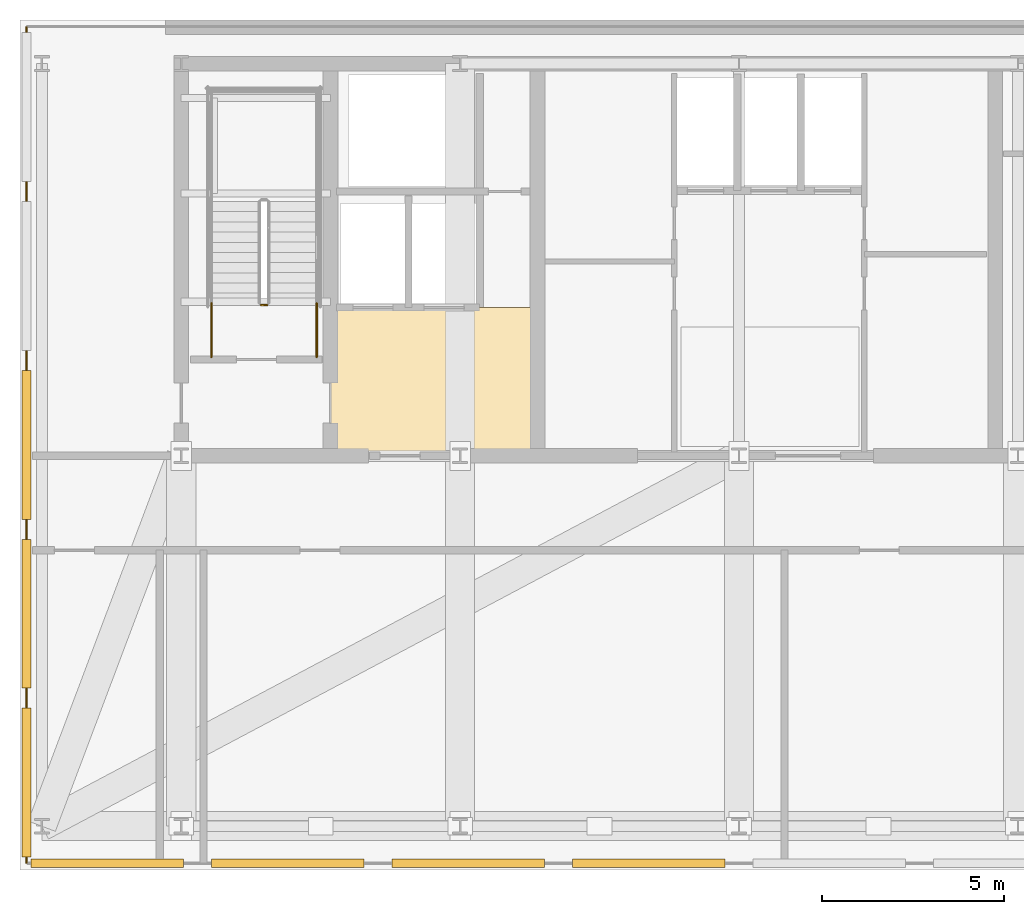
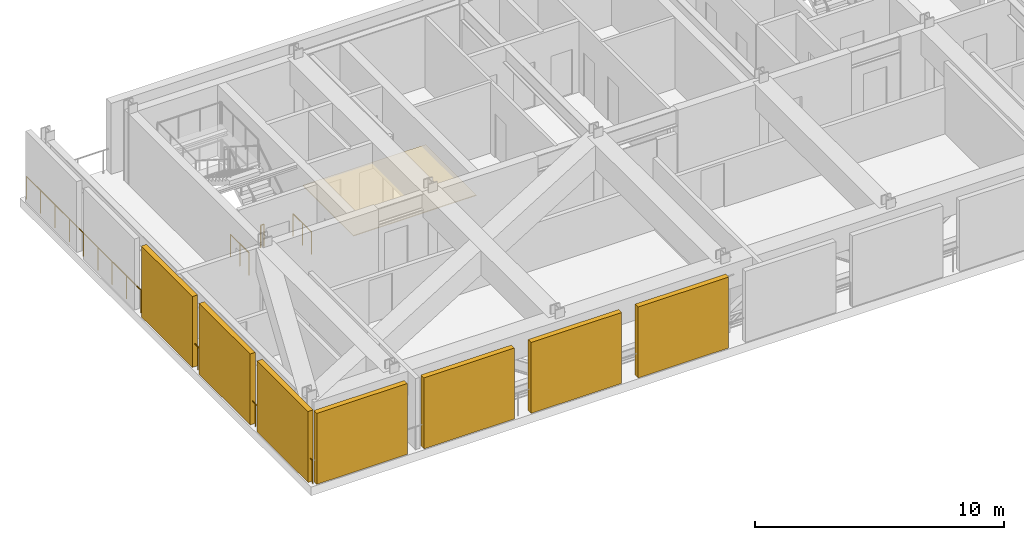
# One storey, part 4 of 8: 7 shading devices, 4 railings, 1 covering.
"""IFC4 building model written with IfcOpenShell, lengths in metres."""

from ifc_helpers import new_model, si_unit, direction, frame, origin, origin_2d, place, context, subcontext, project, spatial, polyline, rectangle, circle, outline, extrude, material, layer, layer_set, type_object, element, save


model = new_model("IFC4")

# Units and contexts
model_context = context("Model", 3, precision=1e-05, world=origin(), true_north=direction((0.0, 1.0)))
body_context = subcontext(model_context, "Body", "Model", "MODEL_VIEW")
ifc_project = project(units=[si_unit("LENGTHUNIT", "METRE"), si_unit("AREAUNIT", "SQUARE_METRE"), si_unit("VOLUMEUNIT", "CUBIC_METRE"), si_unit("PLANEANGLEUNIT", "RADIAN"), si_unit("MASSUNIT", "GRAM", prefix="KILO")], contexts=[model_context])

# Site, building, storey
site_placement = place(None, origin())
site = spatial("IfcSite", under=ifc_project, at=site_placement, CompositionType="ELEMENT")
building_placement = place(site_placement, origin())
building = spatial("IfcBuilding", under=site, at=building_placement, Name="Yelkora Congress Tower", CompositionType="ELEMENT")
storey_placement = place(building_placement, frame((0.0, 0.0, 255.199951171875)))
storey = spatial("IfcBuildingStorey", under=building, at=storey_placement, Name="L71", CompositionType="ELEMENT", Elevation=255.199951171875)

# Covering
ifc_material_1 = material(Name="Perforated mineral-fibre acoustic ceiling", Category="gypsum")
ifc_layer_1 = layer(ifc_material_1, 0.0400390625)
ifc_layer_set_1 = layer_set([ifc_layer_1], Name="Perforated mineral-fibre acoustic ceiling")
covering_type = type_object("IfcCoveringType", Name="COV-CEIL-ACOUSTIC-40", PredefinedType="CEILING", material=ifc_layer_set_1)
covering_placement = place(storey_placement, frame((0.0, 0.0, 2.400146484375)))
element("IfcCovering", 1, at=covering_placement, inside=storey, type_object=covering_type, Name="L71 Firefighting Lobby Acoustic Ceiling", PredefinedType="CEILING", context=body_context, shape_type="SweptSolid", body=[
    extrude(outline(polyline([(27.14990234375, 35.39990234375), (32.85009765625, 35.39990234375), (32.85009765625, 39.47998046875), (27.14990234375, 39.47998046875), (27.14990234375, 35.39990234375)])), origin(), (0.0, 0.0, 1.0), 0.039794921875),
])

# Railings
ifc_material_2 = material(Name="Stainless steel 316L and laminated glass infill", Category="steel")
ifc_layer_2 = layer(ifc_material_2, 0.080078125)
ifc_layer_set_2 = layer_set([ifc_layer_2], Name="Stainless steel 316L and laminated glass infill")
railing_type_1 = type_object("IfcRailingType", Name="RAIL-EXT-GUARD-1150", PredefinedType="GUARDRAIL", material=ifc_layer_set_2)
railing_1_placement = place(storey_placement, frame((18.780029296875, 24.199951171875, 0.0)))
element("IfcRailing", 2, at=railing_1_placement, inside=storey, type_object=railing_type_1, Name="L71 Wind-Floor Perimeter Guardrail W", PredefinedType="GUARDRAIL", context=body_context, shape_type="SweptSolid", body=[
    extrude(circle(Radius=0.02392578125, at=origin_2d()), frame((0.0, 0.0, 1.1259765625), z_axis=(0.0, 1.0, 0.0), x_axis=(-1.0, 0.0, 0.0)), (0.0, 0.0, 1.0), 23.0),
    extrude(circle(Radius=0.02099609375, at=origin_2d()), origin(), (0.0, 0.0, 1.0), 1.101806640625),
    extrude(circle(Radius=0.02099609375, at=origin_2d()), frame((0.0, 1.14990234375, 0.0)), (0.0, 0.0, 1.0), 1.101806640625),
    extrude(circle(Radius=0.02099609375, at=origin_2d()), frame((0.0, 2.300048828125, 0.0)), (0.0, 0.0, 1.0), 1.101806640625),
    extrude(circle(Radius=0.02099609375, at=origin_2d()), frame((0.0, 3.449951171875, 0.0)), (0.0, 0.0, 1.0), 1.101806640625),
    extrude(circle(Radius=0.02099609375, at=origin_2d()), frame((0.0, 4.60009765625, 0.0)), (0.0, 0.0, 1.0), 1.101806640625),
    extrude(circle(Radius=0.02099609375, at=origin_2d()), frame((0.0, 5.75, 0.0)), (0.0, 0.0, 1.0), 1.101806640625),
    extrude(circle(Radius=0.02099609375, at=origin_2d()), frame((0.0, 6.89990234375, 0.0)), (0.0, 0.0, 1.0), 1.101806640625),
    extrude(circle(Radius=0.02099609375, at=origin_2d()), frame((0.0, 8.050048828125, 0.0)), (0.0, 0.0, 1.0), 1.101806640625),
    extrude(circle(Radius=0.02099609375, at=origin_2d()), frame((0.0, 9.199951171875, 0.0)), (0.0, 0.0, 1.0), 1.101806640625),
    extrude(circle(Radius=0.02099609375, at=origin_2d()), frame((0.0, 10.35009765625, 0.0)), (0.0, 0.0, 1.0), 1.101806640625),
    extrude(circle(Radius=0.02099609375, at=origin_2d()), frame((0.0, 11.5, 0.0)), (0.0, 0.0, 1.0), 1.101806640625),
    extrude(circle(Radius=0.02099609375, at=origin_2d()), frame((0.0, 12.64990234375, 0.0)), (0.0, 0.0, 1.0), 1.101806640625),
    extrude(circle(Radius=0.02099609375, at=origin_2d()), frame((0.0, 13.800048828125, 0.0)), (0.0, 0.0, 1.0), 1.101806640625),
    extrude(circle(Radius=0.02099609375, at=origin_2d()), frame((0.0, 14.949951171875, 0.0)), (0.0, 0.0, 1.0), 1.101806640625),
    extrude(circle(Radius=0.02099609375, at=origin_2d()), frame((0.0, 16.10009765625, 0.0)), (0.0, 0.0, 1.0), 1.101806640625),
    extrude(circle(Radius=0.02099609375, at=origin_2d()), frame((0.0, 17.25, 0.0)), (0.0, 0.0, 1.0), 1.101806640625),
    extrude(circle(Radius=0.02099609375, at=origin_2d()), frame((0.0, 18.39990234375, 0.0)), (0.0, 0.0, 1.0), 1.101806640625),
    extrude(circle(Radius=0.02099609375, at=origin_2d()), frame((0.0, 19.550048828125, 0.0)), (0.0, 0.0, 1.0), 1.101806640625),
    extrude(circle(Radius=0.02099609375, at=origin_2d()), frame((0.0, 20.699951171875, 0.0)), (0.0, 0.0, 1.0), 1.101806640625),
    extrude(circle(Radius=0.02099609375, at=origin_2d()), frame((0.0, 21.85009765625, 0.0)), (0.0, 0.0, 1.0), 1.101806640625),
    extrude(circle(Radius=0.02099609375, at=origin_2d()), frame((0.0, 23.0, 0.0)), (0.0, 0.0, 1.0), 1.101806640625),
])
ifc_material_3 = material(Name="Painted galvanised steel stair well guard with vertical infill", Category="steel")
ifc_layer_3 = layer(ifc_material_3, 0.06005859375)
ifc_layer_set_3 = layer_set([ifc_layer_3], Name="Painted galvanised steel stair well guard with vertical infill")
railing_type_2 = type_object("IfcRailingType", Name="RAIL-STAIR-GUARD-1120", PredefinedType="GUARDRAIL", material=ifc_layer_set_3)
railing_2_placement = place(storey_placement, frame((25.39990234375, 39.550048828125, 0.0)))
element("IfcRailing", 3, at=railing_2_placement, inside=storey, type_object=railing_type_2, Name="ST-01 L71 Stair Well Guardrail 7", PredefinedType="GUARDRAIL", context=body_context, shape_type="SweptSolid", body=[
    extrude(circle(Radius=0.02392578125, at=origin_2d()), frame((0.0, 0.0, 1.09619140625), z_axis=(-1.0, 0.0, 0.0), x_axis=(0.0, -1.0, 0.0)), (0.0, 0.0, 1.0), 0.159912109375),
    extrude(circle(Radius=0.02099609375, at=origin_2d()), origin(), (0.0, 0.0, 1.0), 1.072021484375),
    extrude(circle(Radius=0.02099609375, at=origin_2d()), frame((-0.159912109375, 0.0, 0.0)), (0.0, 0.0, 1.0), 1.072021484375),
])
for number, where, name in (
    (4, (26.77001953125, 38.1201171875, 0.0), "ST-01 L71 Stair Well Guardrail 8"),
    (5, (23.8701171875, 38.1201171875, 0.0), "ST-01 L71 Stair Well Guardrail 9"),
):
    element("IfcRailing", number, at=place(storey_placement, frame(where)), inside=storey, type_object=railing_type_2, Name=name, PredefinedType="GUARDRAIL", context=body_context, shape_type="SweptSolid", body=[
        extrude(circle(Radius=0.02392578125, at=origin_2d()), frame((0.0, 0.0, 1.09619140625), z_axis=(0.0, 1.0, 0.0), x_axis=(-1.0, 0.0, 0.0)), (0.0, 0.0, 1.0), 1.47998046875),
        extrude(circle(Radius=0.02099609375, at=origin_2d()), origin(), (0.0, 0.0, 1.0), 1.072021484375),
        extrude(circle(Radius=0.02099609375, at=origin_2d()), frame((0.0, 0.739990234375, 0.0)), (0.0, 0.0, 1.0), 1.072021484375),
        extrude(circle(Radius=0.02099609375, at=origin_2d()), frame((0.0, 1.47998046875, 0.0)), (0.0, 0.0, 1.0), 1.072021484375),
    ])

# Shading devices
ifc_material_4 = material(Name="Perforated anodised aluminium louvre", Category="aluminium")
ifc_layer_4 = layer(ifc_material_4, 3.39990234375)
ifc_layer_set_4 = layer_set([ifc_layer_4], Name="Perforated anodised aluminium louvre")
shading_device_type = type_object("IfcShadingDeviceType", Name="SHD-LOUVRE-WIND", PredefinedType="JALOUSIE", material=ifc_layer_set_4)
for number, where, z_axis, x_axis, name in (
    (6, (18.780029296875, 26.39990234375, 0.0), (0.0, 0.0, 1.0), (1.0, 0.0, 0.0), "L71 Acoustic Wind-Floor Louvre Screen W1"),
    (7, (18.780029296875, 31.050048828125, 0.0), (0.0, 0.0, 1.0), (1.0, 0.0, 0.0), "L71 Acoustic Wind-Floor Louvre Screen W2"),
    (8, (18.780029296875, 35.699951171875, 0.0), (0.0, 0.0, 1.0), (1.0, 0.0, 0.0), "L71 Acoustic Wind-Floor Louvre Screen W3"),
):
    element("IfcShadingDevice", number, at=place(storey_placement, frame(where, z_axis=z_axis, x_axis=x_axis)), inside=storey, type_object=shading_device_type, Name=name, PredefinedType="JALOUSIE", context=body_context, shape_type="SweptSolid", body=[
        extrude(rectangle(XDim=0.239990234375, YDim=4.10009765625, at=origin_2d()), origin(), (0.0, 0.0, 1.0), 3.47998046875),
    ])
for number, where, z_axis, x_axis, name in (
    (9, (21.0, 24.179931640625, 0.0), (0.0, 0.0, 1.0), (1.0, 0.0, 0.0), "L71 South Blow-Through Wind Louvre 1"),
    (10, (25.971435546875, 24.179931640625, 0.0), (0.0, 0.0, 1.0), (1.0, 0.0, 0.0), "L71 South Blow-Through Wind Louvre 2"),
    (11, (30.94287109375, 24.179931640625, 0.0), (0.0, 0.0, 1.0), (1.0, 0.0, 0.0), "L71 South Blow-Through Wind Louvre 3"),
    (12, (35.914306640625, 24.179931640625, 0.0), (0.0, 0.0, 1.0), (1.0, 0.0, 0.0), "L71 South Blow-Through Wind Louvre 4"),
):
    element("IfcShadingDevice", number, at=place(storey_placement, frame(where, z_axis=z_axis, x_axis=x_axis)), inside=storey, type_object=shading_device_type, Name=name, PredefinedType="JALOUSIE", context=body_context, shape_type="SweptSolid", body=[
        extrude(rectangle(XDim=4.199951171875, YDim=0.239990234375, at=origin_2d()), origin(), (0.0, 0.0, 1.0), 3.47998046875),
    ])

save(model, "model.ifc")
